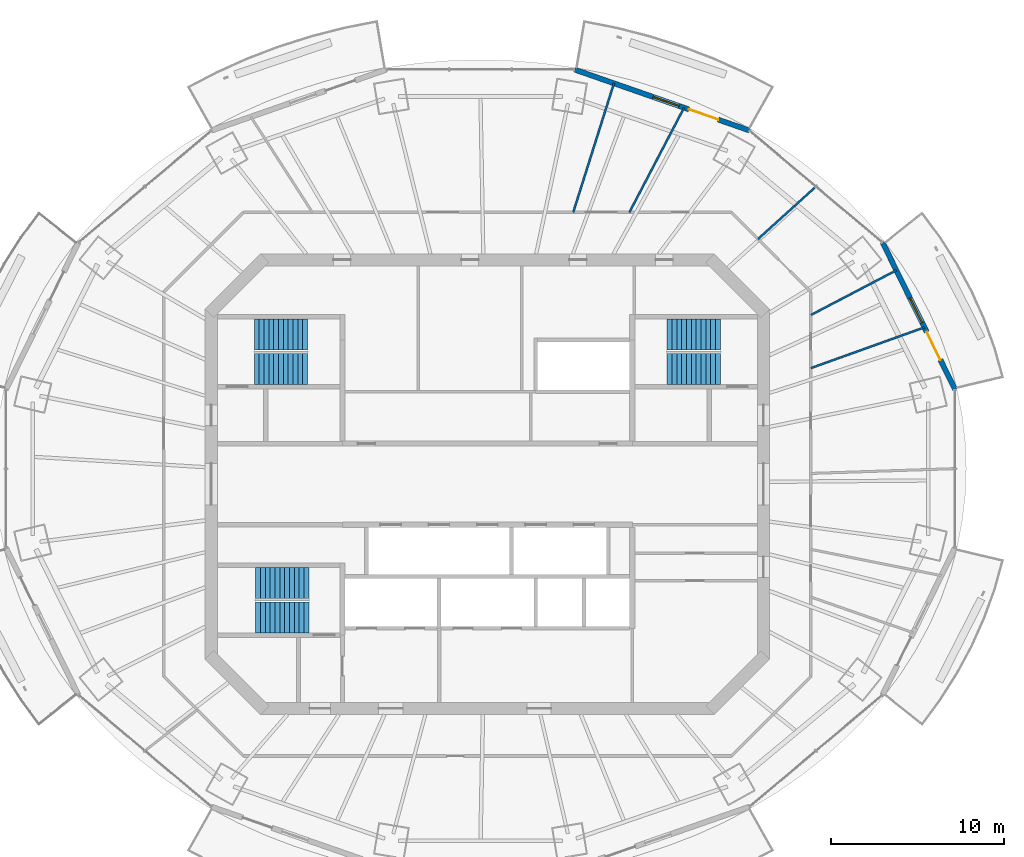
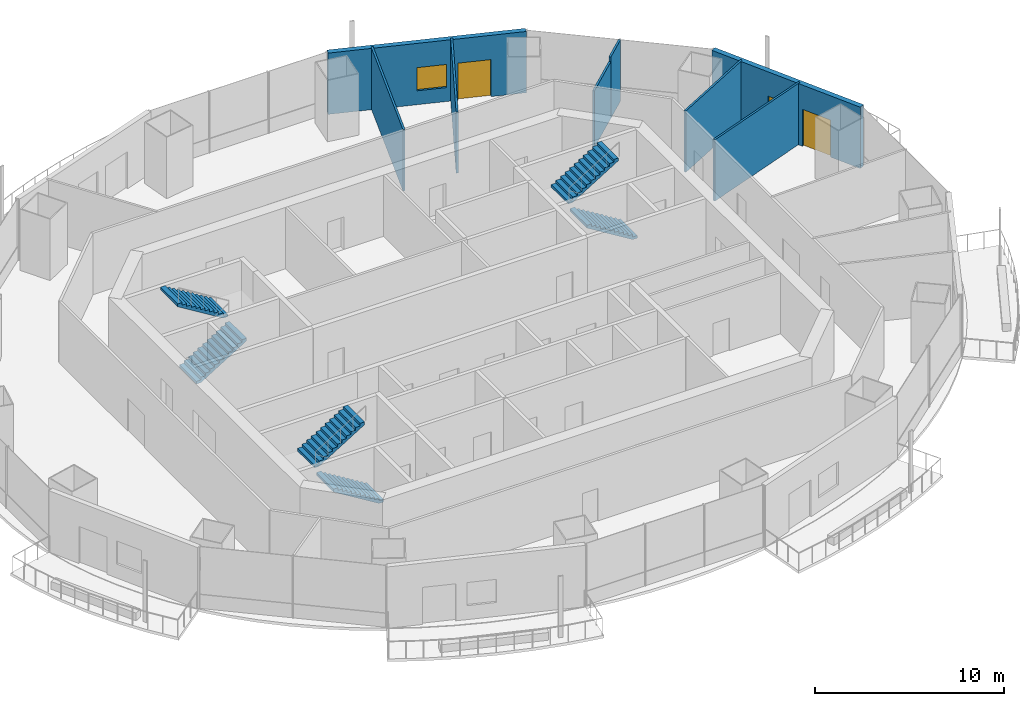
# One storey, part 11 of 16: 8 walls, 6 stair flights, 2 doors, 2 windows, 4 openings, 3 elements without a shape of their own.
"""IFC4 building model written with IfcOpenShell, lengths in metres."""

from ifc_helpers import new_model, si_unit, direction, frame, frame_2d, origin, place, context, subcontext, project, spatial, polyline, rectangle, outline, extrude, material, layer, layer_set, type_object, element, fill, aggregate, save


model = new_model("IFC4")

# Units and contexts
model_context = context("Model", 3, precision=1e-05, world=origin(), true_north=direction((0.0, 1.0)))
body_context = subcontext(model_context, "Body", "Model", "MODEL_VIEW")
ifc_project = project(units=[si_unit("LENGTHUNIT", "METRE"), si_unit("AREAUNIT", "SQUARE_METRE"), si_unit("VOLUMEUNIT", "CUBIC_METRE"), si_unit("PLANEANGLEUNIT", "RADIAN"), si_unit("MASSUNIT", "GRAM", prefix="KILO")], contexts=[model_context])

# Site, building, storey
site_placement = place(None, origin())
site = spatial("IfcSite", under=ifc_project, at=site_placement, CompositionType="ELEMENT")
building_placement = place(site_placement, origin())
building = spatial("IfcBuilding", under=site, at=building_placement, Name="Marenthal Gate Tower", CompositionType="ELEMENT")
storey_placement = place(building_placement, frame((0.0, 0.0, 309.39990234375)))
storey = spatial("IfcBuildingStorey", under=building, at=storey_placement, Name="L69", CompositionType="ELEMENT", Elevation=309.39990234375)

# Walls
ifc_material_1 = material(Name="Gypsum board on steel studs", Category="steel")
ifc_layer_1 = layer(ifc_material_1, 0.1201171875)
ifc_layer_set_1 = layer_set([ifc_layer_1], Name="Partition 120")
wall_type_1 = type_object("IfcWallType", Name="Partition 120", PredefinedType="PARTITIONING", material=ifc_layer_set_1)
wall_1_placement = place(storey_placement, frame((4.97412109375, 15.75, 0.0), z_axis=(0.0, 0.0, 1.0), x_axis=(0.301144774856, 0.953578431266, 0.0)))
element("IfcWall", 1, at=wall_1_placement, inside=storey, type_object=wall_type_1, Name="Partition wall 58", PredefinedType="PARTITIONING", context=body_context, shape_type="SweptSolid", body=[
    extrude(rectangle(XDim=7.843505859375, YDim=0.1201171875, at=frame_2d((3.921875, 0.0))), origin(), (0.0, 0.0, 1.0), 3.97021484375),
])
wall_2_placement = place(storey_placement, frame((8.228759765625, 15.75, 0.0), z_axis=(0.0, 0.0, 1.0), x_axis=(0.463069511272, 0.886321966178, 0.0)))
element("IfcWall", 2, at=wall_2_placement, inside=storey, type_object=wall_type_1, Name="Partition wall 59", PredefinedType="PARTITIONING", context=body_context, shape_type="SweptSolid", body=[
    extrude(rectangle(XDim=6.8427734375, YDim=0.1201171875, at=frame_2d((3.42138671875, 0.0))), origin(), (0.0, 0.0, 1.0), 3.97021484375),
])
wall_3_placement = place(storey_placement, frame((15.68359375, 14.20556640625, 0.0), z_axis=(0.0, 0.0, 1.0), x_axis=(0.741151165877, 0.671338178059, 0.0)))
element("IfcWall", 3, at=wall_3_placement, inside=storey, type_object=wall_type_1, Name="Partition wall 62", PredefinedType="PARTITIONING", context=body_context, shape_type="SweptSolid", body=[
    extrude(rectangle(XDim=2.843017578125, YDim=0.1201171875, at=frame_2d((1.42138671875, 0.0))), origin(), (0.0, 0.0, 1.0), 3.668212890625),
])
wall_4_placement = place(storey_placement, frame((17.790771484375, 16.1142578125, 0.0), z_axis=(0.0, 0.0, 1.0), x_axis=(0.741097119871, 0.671397839525, 0.0)))
element("IfcWall", 4, at=wall_4_placement, inside=storey, type_object=wall_type_1, Name="Partition wall 70", PredefinedType="PARTITIONING", context=body_context, shape_type="SweptSolid", body=[
    extrude(rectangle(XDim=1.688232421875, YDim=0.1201171875, at=frame_2d((0.84423828125, 0.0))), origin(), (0.0, 0.0, 1.0), 3.97021484375),
])
wall_5_placement = place(storey_placement, frame((18.75, 6.72705078125, 0.0), z_axis=(0.0, 0.0, 1.0), x_axis=(0.941255616046, 0.337694929281, 0.0)))
element("IfcWall", 5, at=wall_5_placement, inside=storey, type_object=wall_type_1, Name="Partition wall 67", PredefinedType="PARTITIONING", context=body_context, shape_type="SweptSolid", body=[
    extrude(rectangle(XDim=6.988037109375, YDim=0.1201171875, at=frame_2d((3.494140625, 0.0))), origin(), (0.0, 0.0, 1.0), 3.97021484375),
])
wall_6_placement = place(storey_placement, frame((18.75, 9.8056640625, 0.0), z_axis=(0.0, 0.0, 1.0), x_axis=(0.886129976356, 0.463436797205, 0.0)))
element("IfcWall", 6, at=wall_6_placement, inside=storey, type_object=wall_type_1, Name="Partition wall 68", PredefinedType="PARTITIONING", context=body_context, shape_type="SweptSolid", body=[
    extrude(rectangle(XDim=5.584716796875, YDim=0.1201171875, at=frame_2d((2.79248046875, 0.0))), origin(), (0.0, 0.0, 1.0), 3.97021484375),
])

# Wall, openings, door, window
ifc_material_2 = material(Name="Terracotta cladding on insulated concrete-block backing", Category="masonry")
ifc_layer_2 = layer(ifc_material_2, 0.300048828125)
ifc_layer_set_2 = layer_set([ifc_layer_2], Name="Terracotta facade wall 300")
wall_type_2 = type_object("IfcWallType", Name="Terracotta facade wall 300", PredefinedType="SOLIDWALL", material=ifc_layer_set_2)
wall_7_placement = place(storey_placement, frame((27.09521484375, 5.498779296875, 0.0), z_axis=(0.0, 0.0, 1.0), x_axis=(-0.441906476931, 0.89706112704, 0.0)))
wall_7 = element("IfcWall", 7, at=wall_7_placement, inside=storey, type_object=wall_type_2, Name="Terracotta facade wall L69 bay 1", PredefinedType="SOLIDWALL", context=body_context, shape_type="SweptSolid", body=[
    extrude(rectangle(XDim=9.47216796875, YDim=0.300048828125, at=frame_2d((4.736083984375, 0.0))), origin(), (0.0, 0.0, 1.0), 3.97021484375),
])
opening_1_placement = place(wall_7_placement, frame((1.89990234375, 0.0, 0.0)))
opening_1 = element("IfcOpeningElement", 8, at=opening_1_placement, cuts=wall_7, Name="Opening BD-L69-01", PredefinedType="OPENING", context=body_context, shape_type="SweptSolid", body=[
    extrude(rectangle(XDim=1.800048828125, YDim=2.39990234375, at=frame_2d((0.89990234375, 1.199951171875))), frame((0.0, 0.16015625, 0.0), z_axis=(0.0, -1.0, 0.0), x_axis=(1.0, 0.0, 0.0)), (0.0, 0.0, 1.0), 0.320068359375),
])
opening_2_placement = place(wall_7_placement, frame((4.300048828125, 0.0, 0.89990234375)))
opening_2 = element("IfcOpeningElement", 9, at=opening_2_placement, cuts=wall_7, Name="Opening WN3-L69-01", PredefinedType="OPENING", context=body_context, shape_type="SweptSolid", body=[
    extrude(rectangle(XDim=1.60009765625, YDim=1.5, at=frame_2d((0.800048828125, 0.75))), frame((0.0, 0.16015625, 0.0), z_axis=(0.0, -1.0, 0.0), x_axis=(1.0, 0.0, 0.0)), (0.0, 0.0, 1.0), 0.320068359375),
])
ifc_material_3 = material(Name="Aluminium and glass", Category="aluminium")
door_type = type_object("IfcDoorType", Name="Balcony door 1800x2400", OperationType="DOUBLE_DOOR_SINGLE_SWING", PredefinedType="DOOR", material=ifc_material_3)
door_1_placement = place(opening_1_placement, origin())
door_1 = element("IfcDoor", 10, at=door_1_placement, inside=storey, type_object=door_type, Name="Balcony door L69 bay 1", OperationType="SINGLE_SWING_LEFT", OverallHeight=2.39990234375, OverallWidth=1.800048828125, PredefinedType="DOOR", context=body_context, shape_type="SweptSolid", body=[
    extrude(rectangle(XDim=1.800048828125, YDim=2.39990234375, at=frame_2d((0.89990234375, 1.199951171875))), frame((0.0, 0.02490234375, 0.0), z_axis=(0.0, -1.0, 0.0), x_axis=(1.0, 0.0, 0.0)), (0.0, 0.0, 1.0), 0.050048828125),
])
fill(opening_1, door_1)
ifc_material_4 = material(Name="Aluminium and glass", Category="aluminium")
window_type = type_object("IfcWindowType", Name="Window 1600x1500", PartitioningType="DOUBLE_PANEL_VERTICAL", PredefinedType="WINDOW", material=ifc_material_4)
window_1_placement = place(opening_2_placement, origin())
window_1 = element("IfcWindow", 11, at=window_1_placement, inside=storey, type_object=window_type, Name="Window L69 bay 1", OverallHeight=1.5, OverallWidth=1.60009765625, PartitioningType="SINGLE_PANEL", PredefinedType="WINDOW", context=body_context, shape_type="SweptSolid", body=[
    extrude(rectangle(XDim=1.60009765625, YDim=1.5, at=frame_2d((0.800048828125, 0.75))), frame((0.0, 0.030029296875, 0.0), z_axis=(0.0, -1.0, 0.0), x_axis=(1.0, 0.0, 0.0)), (0.0, 0.0, 1.0), 0.06005859375),
])
fill(opening_2, window_1)

wall_8_placement = place(storey_placement, frame((15.1748046875, 20.49951171875, 0.0), z_axis=(0.0, 0.0, 1.0), x_axis=(-0.94436622093, 0.328895790132, 0.0)))
wall_8 = element("IfcWall", 12, at=wall_8_placement, inside=storey, type_object=wall_type_2, Name="Terracotta facade wall L69 bay 3", PredefinedType="SOLIDWALL", context=body_context, shape_type="SweptSolid", body=[
    extrude(rectangle(XDim=10.701171875, YDim=0.300048828125, at=frame_2d((5.3505859375, 0.0))), origin(), (0.0, 0.0, 1.0), 3.97021484375),
])
opening_3_placement = place(wall_8_placement, frame((1.89990234375, 0.0, 0.0)))
opening_3 = element("IfcOpeningElement", 13, at=opening_3_placement, cuts=wall_8, Name="Opening BD-L69-03", PredefinedType="OPENING", context=body_context, shape_type="SweptSolid", body=[
    extrude(rectangle(XDim=1.800048828125, YDim=2.39990234375, at=frame_2d((0.89990234375, 1.199951171875))), frame((0.0, 0.16015625, 0.0), z_axis=(0.0, -1.0, 0.0), x_axis=(1.0, 0.0, 0.0)), (0.0, 0.0, 1.0), 0.320068359375),
])
opening_4_placement = place(wall_8_placement, frame((4.300048828125, 0.0, 0.89990234375)))
opening_4 = element("IfcOpeningElement", 14, at=opening_4_placement, cuts=wall_8, Name="Opening WN3-L69-03", PredefinedType="OPENING", context=body_context, shape_type="SweptSolid", body=[
    extrude(rectangle(XDim=1.60009765625, YDim=1.5, at=frame_2d((0.800048828125, 0.75))), frame((0.0, 0.16015625, 0.0), z_axis=(0.0, -1.0, 0.0), x_axis=(1.0, 0.0, 0.0)), (0.0, 0.0, 1.0), 0.320068359375),
])
door_2_placement = place(opening_3_placement, origin())
door_2 = element("IfcDoor", 15, at=door_2_placement, inside=storey, type_object=door_type, Name="Balcony door L69 bay 3", OperationType="SINGLE_SWING_LEFT", OverallHeight=2.39990234375, OverallWidth=1.800048828125, PredefinedType="DOOR", context=body_context, shape_type="SweptSolid", body=[
    extrude(rectangle(XDim=1.800048828125, YDim=2.39990234375, at=frame_2d((0.89990234375, 1.199951171875))), frame((0.0, 0.02490234375, 0.0), z_axis=(0.0, -1.0, 0.0), x_axis=(1.0, 0.0, 0.0)), (0.0, 0.0, 1.0), 0.050048828125),
])
fill(opening_3, door_2)
window_2_placement = place(opening_4_placement, origin())
window_2 = element("IfcWindow", 16, at=window_2_placement, inside=storey, type_object=window_type, Name="Window L69 bay 3", OverallHeight=1.5, OverallWidth=1.60009765625, PartitioningType="SINGLE_PANEL", PredefinedType="WINDOW", context=body_context, shape_type="SweptSolid", body=[
    extrude(rectangle(XDim=1.60009765625, YDim=1.5, at=frame_2d((0.800048828125, 0.75))), frame((0.0, 0.030029296875, 0.0), z_axis=(0.0, -1.0, 0.0), x_axis=(1.0, 0.0, 0.0)), (0.0, 0.0, 1.0), 0.06005859375),
])
fill(opening_4, window_2)

# Stair, stair flights
ifc_material_5 = material(Name="Concrete 40 MPa", Category="concrete")
stair_type = type_object("IfcStairType", Name="Exit stair 1800", PredefinedType="HALF_TURN_STAIR", material=ifc_material_5)
stair_1_placement = place(storey_placement, origin())
stair_1 = element("IfcStair", 17, at=stair_1_placement, inside=storey, type_object=stair_type, Name="Stair ST1", PredefinedType="HALF_TURN_STAIR")
ifc_material_6 = material(Name="Concrete 40 MPa", Category="concrete")
stair_flight_type = type_object("IfcStairFlightType", Name="Stair flight 1800", PredefinedType="STRAIGHT", material=ifc_material_6)
stair_flight_1_placement = place(storey_placement, frame((-13.5, 6.675048828125, 0.0), z_axis=(0.0, 0.0, 1.0), x_axis=(1.0, 0.0, 0.0)))
stair_flight_1 = element("IfcStairFlight", 18, at=stair_flight_1_placement, type_object=stair_flight_type, Name="ST1 flight 1", NumberOfRisers=12, NumberOfTreads=11, PredefinedType="STRAIGHT", RiserHeight=0.172916667, TreadLength=0.28, context=body_context, shape_type="SweptSolid", body=[
    extrude(outline(polyline([(0.0, 0.0), (0.0, 0.1728515625), (0.280029296875, 0.1728515625), (0.280029296875, 0.345947265625), (0.56005859375, 0.345947265625), (0.56005859375, 0.518798828125), (0.840087890625, 0.518798828125), (0.840087890625, 0.691650390625), (1.1201171875, 0.691650390625), (1.1201171875, 0.864501953125), (1.39990234375, 0.864501953125), (1.39990234375, 1.03759765625), (1.679931640625, 1.03759765625), (1.679931640625, 1.21044921875), (1.9599609375, 1.21044921875), (1.9599609375, 1.38330078125), (2.239990234375, 1.38330078125), (2.239990234375, 1.55615234375), (2.52001953125, 1.55615234375), (2.52001953125, 1.729248046875), (2.800048828125, 1.729248046875), (2.800048828125, 1.902099609375), (3.080078125, 1.902099609375), (3.080078125, 2.074951171875), (3.080078125, 1.725830078125), (0.285400390625, 0.0), (0.0, 0.0)])), frame((0.0, 0.89990234375, 0.0), z_axis=(0.0, -1.0, 0.0), x_axis=(1.0, 0.0, 0.0)), (0.0, 0.0, 1.0), 1.800048828125),
])
stair_flight_2_placement = place(storey_placement, frame((-10.419921875, 8.675048828125, 2.0751953125), z_axis=(0.0, 0.0, 1.0), x_axis=(-1.0, 0.0, 0.0)))
stair_flight_2 = element("IfcStairFlight", 19, at=stair_flight_2_placement, type_object=stair_flight_type, Name="ST1 flight 2", NumberOfRisers=12, NumberOfTreads=11, PredefinedType="STRAIGHT", RiserHeight=0.172916667, TreadLength=0.28, context=body_context, shape_type="SweptSolid", body=[
    extrude(outline(polyline([(0.0, 0.0), (0.0, 0.1728515625), (0.280029296875, 0.1728515625), (0.280029296875, 0.345947265625), (0.56005859375, 0.345947265625), (0.56005859375, 0.518798828125), (0.840087890625, 0.518798828125), (0.840087890625, 0.691650390625), (1.1201171875, 0.691650390625), (1.1201171875, 0.864501953125), (1.39990234375, 0.864501953125), (1.39990234375, 1.03759765625), (1.679931640625, 1.03759765625), (1.679931640625, 1.21044921875), (1.9599609375, 1.21044921875), (1.9599609375, 1.38330078125), (2.239990234375, 1.38330078125), (2.239990234375, 1.55615234375), (2.52001953125, 1.55615234375), (2.52001953125, 1.729248046875), (2.800048828125, 1.729248046875), (2.800048828125, 1.902099609375), (3.080078125, 1.902099609375), (3.080078125, 2.074951171875), (3.080078125, 1.725830078125), (0.285400390625, 0.0), (0.0, 0.0)])), frame((0.0, 0.89990234375, 0.0), z_axis=(0.0, -1.0, 0.0), x_axis=(1.0, 0.0, 0.0)), (0.0, 0.0, 1.0), 1.800048828125),
])
aggregate(stair_1, [stair_flight_1, stair_flight_2])

stair_2_placement = place(storey_placement, origin())
stair_2 = element("IfcStair", 20, at=stair_2_placement, inside=storey, type_object=stair_type, Name="Stair ST2", PredefinedType="HALF_TURN_STAIR")
stair_flight_3_placement = place(storey_placement, frame((-10.35009765625, -7.72509765625, 0.0), z_axis=(0.0, 0.0, 1.0), x_axis=(-1.0, 0.0, 0.0)))
stair_flight_3 = element("IfcStairFlight", 21, at=stair_flight_3_placement, type_object=stair_flight_type, Name="ST2 flight 1", NumberOfRisers=12, NumberOfTreads=11, PredefinedType="STRAIGHT", RiserHeight=0.172916667, TreadLength=0.28, context=body_context, shape_type="SweptSolid", body=[
    extrude(outline(polyline([(0.0, 0.0), (0.0, 0.1728515625), (0.280029296875, 0.1728515625), (0.280029296875, 0.345947265625), (0.56005859375, 0.345947265625), (0.56005859375, 0.518798828125), (0.840087890625, 0.518798828125), (0.840087890625, 0.691650390625), (1.1201171875, 0.691650390625), (1.1201171875, 0.864501953125), (1.39990234375, 0.864501953125), (1.39990234375, 1.03759765625), (1.679931640625, 1.03759765625), (1.679931640625, 1.21044921875), (1.9599609375, 1.21044921875), (1.9599609375, 1.38330078125), (2.239990234375, 1.38330078125), (2.239990234375, 1.55615234375), (2.52001953125, 1.55615234375), (2.52001953125, 1.729248046875), (2.800048828125, 1.729248046875), (2.800048828125, 1.902099609375), (3.080078125, 1.902099609375), (3.080078125, 2.074951171875), (3.080078125, 1.725830078125), (0.285400390625, 0.0), (0.0, 0.0)])), frame((0.0, 0.89990234375, 0.0), z_axis=(0.0, -1.0, 0.0), x_axis=(1.0, 0.0, 0.0)), (0.0, 0.0, 1.0), 1.800048828125),
])
stair_flight_4_placement = place(storey_placement, frame((-13.429931640625, -5.72509765625, 2.0751953125), z_axis=(0.0, 0.0, 1.0), x_axis=(1.0, 0.0, 0.0)))
stair_flight_4 = element("IfcStairFlight", 22, at=stair_flight_4_placement, type_object=stair_flight_type, Name="ST2 flight 2", NumberOfRisers=12, NumberOfTreads=11, PredefinedType="STRAIGHT", RiserHeight=0.172916667, TreadLength=0.28, context=body_context, shape_type="SweptSolid", body=[
    extrude(outline(polyline([(0.0, 0.0), (0.0, 0.1728515625), (0.280029296875, 0.1728515625), (0.280029296875, 0.345947265625), (0.56005859375, 0.345947265625), (0.56005859375, 0.518798828125), (0.840087890625, 0.518798828125), (0.840087890625, 0.691650390625), (1.1201171875, 0.691650390625), (1.1201171875, 0.864501953125), (1.39990234375, 0.864501953125), (1.39990234375, 1.03759765625), (1.679931640625, 1.03759765625), (1.679931640625, 1.21044921875), (1.9599609375, 1.21044921875), (1.9599609375, 1.38330078125), (2.239990234375, 1.38330078125), (2.239990234375, 1.55615234375), (2.52001953125, 1.55615234375), (2.52001953125, 1.729248046875), (2.800048828125, 1.729248046875), (2.800048828125, 1.902099609375), (3.080078125, 1.902099609375), (3.080078125, 2.074951171875), (3.080078125, 1.725830078125), (0.285400390625, 0.0), (0.0, 0.0)])), frame((0.0, 0.89990234375, 0.0), z_axis=(0.0, -1.0, 0.0), x_axis=(1.0, 0.0, 0.0)), (0.0, 0.0, 1.0), 1.800048828125),
])
aggregate(stair_2, [stair_flight_3, stair_flight_4])

stair_3_placement = place(storey_placement, origin())
stair_3 = element("IfcStair", 23, at=stair_3_placement, inside=storey, type_object=stair_type, Name="Stair ST3", PredefinedType="HALF_TURN_STAIR")
stair_flight_5_placement = place(storey_placement, frame((13.5, 6.675048828125, 0.0), z_axis=(0.0, 0.0, 1.0), x_axis=(-1.0, 0.0, 0.0)))
stair_flight_5 = element("IfcStairFlight", 24, at=stair_flight_5_placement, type_object=stair_flight_type, Name="ST3 flight 1", NumberOfRisers=12, NumberOfTreads=11, PredefinedType="STRAIGHT", RiserHeight=0.172916667, TreadLength=0.28, context=body_context, shape_type="SweptSolid", body=[
    extrude(outline(polyline([(0.0, 0.0), (0.0, 0.1728515625), (0.280029296875, 0.1728515625), (0.280029296875, 0.345947265625), (0.56005859375, 0.345947265625), (0.56005859375, 0.518798828125), (0.840087890625, 0.518798828125), (0.840087890625, 0.691650390625), (1.1201171875, 0.691650390625), (1.1201171875, 0.864501953125), (1.39990234375, 0.864501953125), (1.39990234375, 1.03759765625), (1.679931640625, 1.03759765625), (1.679931640625, 1.21044921875), (1.9599609375, 1.21044921875), (1.9599609375, 1.38330078125), (2.239990234375, 1.38330078125), (2.239990234375, 1.55615234375), (2.52001953125, 1.55615234375), (2.52001953125, 1.729248046875), (2.800048828125, 1.729248046875), (2.800048828125, 1.902099609375), (3.080078125, 1.902099609375), (3.080078125, 2.074951171875), (3.080078125, 1.725830078125), (0.285400390625, 0.0), (0.0, 0.0)])), frame((0.0, 0.89990234375, 0.0), z_axis=(0.0, -1.0, 0.0), x_axis=(1.0, 0.0, 0.0)), (0.0, 0.0, 1.0), 1.800048828125),
])
stair_flight_6_placement = place(storey_placement, frame((10.419921875, 8.675048828125, 2.0751953125), z_axis=(0.0, 0.0, 1.0), x_axis=(1.0, 0.0, 0.0)))
stair_flight_6 = element("IfcStairFlight", 25, at=stair_flight_6_placement, type_object=stair_flight_type, Name="ST3 flight 2", NumberOfRisers=12, NumberOfTreads=11, PredefinedType="STRAIGHT", RiserHeight=0.172916667, TreadLength=0.28, context=body_context, shape_type="SweptSolid", body=[
    extrude(outline(polyline([(0.0, 0.0), (0.0, 0.1728515625), (0.280029296875, 0.1728515625), (0.280029296875, 0.345947265625), (0.56005859375, 0.345947265625), (0.56005859375, 0.518798828125), (0.840087890625, 0.518798828125), (0.840087890625, 0.691650390625), (1.1201171875, 0.691650390625), (1.1201171875, 0.864501953125), (1.39990234375, 0.864501953125), (1.39990234375, 1.03759765625), (1.679931640625, 1.03759765625), (1.679931640625, 1.21044921875), (1.9599609375, 1.21044921875), (1.9599609375, 1.38330078125), (2.239990234375, 1.38330078125), (2.239990234375, 1.55615234375), (2.52001953125, 1.55615234375), (2.52001953125, 1.729248046875), (2.800048828125, 1.729248046875), (2.800048828125, 1.902099609375), (3.080078125, 1.902099609375), (3.080078125, 2.074951171875), (3.080078125, 1.725830078125), (0.285400390625, 0.0), (0.0, 0.0)])), frame((0.0, 0.89990234375, 0.0), z_axis=(0.0, -1.0, 0.0), x_axis=(1.0, 0.0, 0.0)), (0.0, 0.0, 1.0), 1.800048828125),
])
aggregate(stair_3, [stair_flight_5, stair_flight_6])

save(model, "model.ifc")
